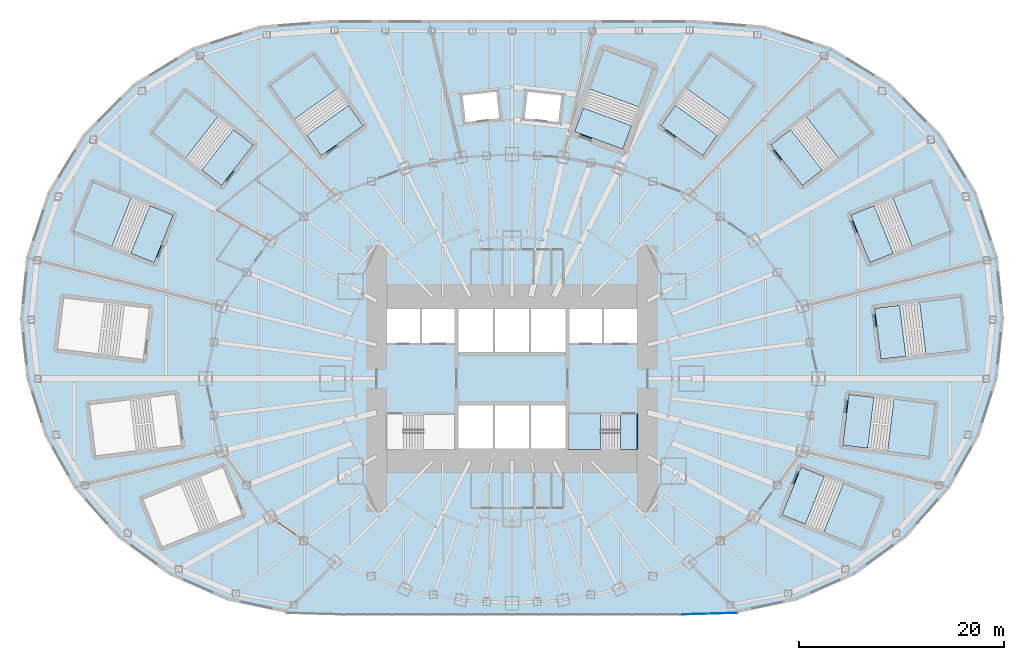
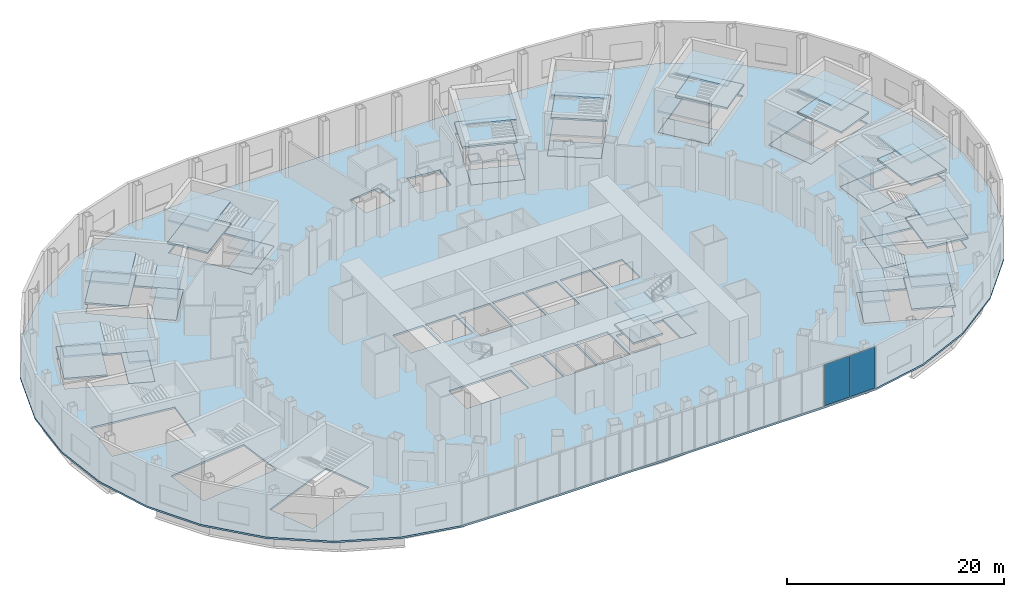
# One storey, part 12 of 73: 45 slabs, 2 plates, 12 elements without a shape of their own.
"""IFC4 building model written with IfcOpenShell, lengths in metres."""

from ifc_helpers import new_model, si_unit, direction, frame, origin, origin_2d, place, context, subcontext, project, spatial, polyline, rectangle, outline, extrude, material, layer, layer_set, type_object, element, aggregate, save


model = new_model("IFC4")

# Units and contexts
model_context = context("Model", 3, precision=1e-05, world=origin(), true_north=direction((0.0, 1.0)))
body_context = subcontext(model_context, "Body", "Model", "MODEL_VIEW")
ifc_project = project(units=[si_unit("LENGTHUNIT", "METRE"), si_unit("AREAUNIT", "SQUARE_METRE"), si_unit("VOLUMEUNIT", "CUBIC_METRE"), si_unit("PLANEANGLEUNIT", "RADIAN"), si_unit("MASSUNIT", "GRAM", prefix="KILO")], contexts=[model_context])

# Site, building, storey
site_placement = place(None, origin())
site = spatial("IfcSite", under=ifc_project, at=site_placement, CompositionType="ELEMENT")
building_placement = place(site_placement, origin())
building = spatial("IfcBuilding", under=site, at=building_placement, Name="Lantaw Convention Tower", CompositionType="ELEMENT")
storey_placement = place(building_placement, frame((0.0, 0.0, 22.0)))
storey = spatial("IfcBuildingStorey", under=building, at=storey_placement, Name="L03", CompositionType="ELEMENT", Elevation=22.0)

# Curtain wall, plates
ifc_material_1 = material(Name="Aluminium framed curtain wall", Category="aluminium")
curtain_wall_type = type_object("IfcCurtainWallType", Name="Podium storefront curtain wall, pale aluminium", PredefinedType="USERDEFINED", material=ifc_material_1)
curtain_wall_placement = place(storey_placement, origin())
curtain_wall = element("IfcCurtainWall", 1, at=curtain_wall_placement, inside=storey, type_object=curtain_wall_type, Name="Podium storefront curtain wall, pale aluminium L03", ObjectType="STOREFRONT", PredefinedType="USERDEFINED")
ifc_material_2 = material(Name="Laminated clear glass", Category="glass")
ifc_layer_1 = layer(ifc_material_2, 0.031982421875)
ifc_layer_set_1 = layer_set([ifc_layer_1], Name="CW-P panel 32")
plate_type = type_object("IfcPlateType", Name="CW-P panel 32", PredefinedType="CURTAIN_PANEL", material=ifc_layer_set_1)
plate_1_placement = place(storey_placement, frame((17.838134765625, -22.958984375, 0.080078125), z_axis=(0.0, 0.0, 1.0), x_axis=(0.99959230263, 0.028552206976, 0.0)))
plate_1 = element("IfcPlate", 2, at=plate_1_placement, type_object=plate_type, Name="CW-P panel 1.1", PredefinedType="CURTAIN_PANEL", context=body_context, shape_type="SweptSolid", body=[
    extrude(rectangle(XDim=2.705810546875, YDim=0.031982421875, at=origin_2d()), origin(), (0.0, 0.0, 1.0), 4.639892578125),
])
plate_2_placement = place(storey_placement, frame((20.622802734375, -22.879638671875, 0.080078125), z_axis=(0.0, 0.0, 1.0), x_axis=(0.99959230263, 0.028552206976, 0.0)))
plate_2 = element("IfcPlate", 3, at=plate_2_placement, type_object=plate_type, Name="CW-P panel 2.1", PredefinedType="CURTAIN_PANEL", context=body_context, shape_type="SweptSolid", body=[
    extrude(rectangle(XDim=2.705810546875, YDim=0.031982421875, at=origin_2d()), origin(), (0.0, 0.0, 1.0), 4.639892578125),
])
aggregate(curtain_wall, [plate_1, plate_2])

# Slab
ifc_material_3 = material(Name="Concrete C35/45", Category="concrete")
ifc_layer_2 = layer(ifc_material_3, 0.199951171875)
ifc_layer_set_2 = layer_set([ifc_layer_2], Name="Floor slab 200")
slab_type_1 = type_object("IfcSlabType", Name="Floor slab 200", PredefinedType="FLOOR", material=ifc_layer_set_2)
slab_1_placement = place(storey_placement, frame((0.0, 0.0, -0.199951171875)))
element("IfcSlab", 4, at=slab_1_placement, inside=storey, type_object=slab_type_1, Name="L03 floor slab", PredefinedType="FLOOR", context=body_context, shape_type="SweptSolid", body=[
    extrude(outline(polyline([(45.580322265625, -5.5966796875), (47.37255859375, 0.0), (47.999755859375, 5.8935546875), (47.409912109375, 11.820556640625), (45.313232421875, 18.190673828125), (41.819091796875, 23.896728515625), (36.97607421875, 28.756591796875), (31.2001953125, 32.308837890625), (24.578857421875, 34.458251953125), (17.83349609375, 35.0), (-17.83349609375, 35.0), (-24.578857421875, 34.458251953125), (-31.2001953125, 32.308837890625), (-36.97607421875, 28.756591796875), (-41.819091796875, 23.896728515625), (-45.313232421875, 18.190673828125), (-47.409912109375, 11.820556640625), (-47.999755859375, 5.8935546875), (-47.37255859375, 0.0), (-45.580322265625, -5.5966796875), (-42.73974609375, -10.65625), (-38.50732421875, -15.45849609375), (-33.4755859375, -19.12890625), (-27.811279296875, -21.62890625), (-22.054931640625, -22.838623046875), (-16.40576171875, -23.0), (16.40576171875, -23.0), (22.054931640625, -22.838623046875), (27.811279296875, -21.62890625), (33.4755859375, -19.12890625), (38.50732421875, -15.458251953125), (42.73974609375, -10.65625), (45.580322265625, -5.5966796875)]), holes=[polyline([(-36.005126953125, -11.760009765625), (-34.142333984375, -16.400146484375), (-26.346923828125, -13.270751953125), (-28.209716796875, -8.630615234375), (-36.005126953125, -11.760009765625)]), polyline([(-12.199951171875, -6.800048828125), (-5.60009765625, -6.800048828125), (-5.60009765625, -3.5), (-12.199951171875, -3.5), (-12.199951171875, -6.800048828125)]), polyline([(-5.199951171875, -6.800048828125), (-1.86669921875, -6.800048828125), (-1.86669921875, -2.60009765625), (-5.199951171875, -2.60009765625), (-5.199951171875, -6.800048828125)]), polyline([(1.666748046875, -6.800048828125), (1.666748046875, -2.60009765625), (-1.666748046875, -2.60009765625), (-1.666748046875, -6.800048828125), (1.666748046875, -6.800048828125)]), polyline([(-32.8828125, -1.518798828125), (-41.22021484375, -2.54248046875), (-40.61083984375, -7.505126953125), (-32.2734375, -6.4814453125), (-32.8828125, -1.518798828125)]), polyline([(-5.199951171875, 2.60009765625), (-1.86669921875, 2.60009765625), (-1.86669921875, 6.800048828125), (-5.199951171875, 6.800048828125), (-5.199951171875, 2.60009765625)]), polyline([(1.666748046875, 2.60009765625), (1.666748046875, 6.800048828125), (-1.666748046875, 6.800048828125), (-1.666748046875, 2.60009765625), (1.666748046875, 2.60009765625)]), polyline([(-35.387451171875, 6.86376953125), (-43.724853515625, 7.887451171875), (-44.334228515625, 2.9248046875), (-35.996826171875, 1.901123046875), (-35.387451171875, 6.86376953125)]), polyline([(-12.199951171875, 3.5), (-9.0, 3.5), (-9.0, 6.800048828125), (-12.199951171875, 6.800048828125), (-12.199951171875, 3.5)]), polyline([(-8.800048828125, 3.5), (-5.60009765625, 3.5), (-5.60009765625, 6.800048828125), (-8.800048828125, 6.800048828125), (-8.800048828125, 3.5)]), polyline([(-33.06005859375, 15.965576171875), (-40.85546875, 19.094970703125), (-42.71826171875, 14.454833984375), (-34.9228515625, 11.325439453125), (-33.06005859375, 15.965576171875)]), polyline([(-25.25830078125, 22.810546875), (-31.88916015625, 27.967529296875), (-34.95849609375, 24.0205078125), (-28.327880859375, 18.86376953125), (-25.25830078125, 22.810546875)]), polyline([(-1.236083984375, 25.423583984375), (-1.5302734375, 28.0068359375), (-4.80908203125, 27.63330078125), (-4.5146484375, 25.050048828125), (-1.236083984375, 25.423583984375)]), polyline([(-19.40771484375, 31.513916015625), (-23.478271484375, 28.6103515625), (-18.6005859375, 21.771728515625), (-14.52978515625, 24.67529296875), (-19.40771484375, 31.513916015625)]), polyline([(26.34716796875, -13.270751953125), (34.142333984375, -16.39990234375), (36.005126953125, -11.760009765625), (28.209716796875, -8.630615234375), (26.34716796875, -13.270751953125)]), polyline([(5.60009765625, -6.800048828125), (12.199951171875, -6.800048828125), (12.199951171875, -3.5), (5.60009765625, -3.5), (5.60009765625, -6.800048828125)]), polyline([(1.86669921875, -6.800048828125), (5.199951171875, -6.800048828125), (5.199951171875, -2.60009765625), (1.86669921875, -2.60009765625), (1.86669921875, -6.800048828125)]), polyline([(32.2734375, -6.4814453125), (40.61083984375, -7.505126953125), (41.22021484375, -2.54248046875), (32.8828125, -1.518798828125), (32.2734375, -6.4814453125)]), polyline([(1.86669921875, 2.60009765625), (5.199951171875, 2.60009765625), (5.199951171875, 6.800048828125), (1.86669921875, 6.800048828125), (1.86669921875, 2.60009765625)]), polyline([(35.996826171875, 1.901123046875), (44.334228515625, 2.9248046875), (43.724853515625, 7.887451171875), (35.387451171875, 6.86376953125), (35.996826171875, 1.901123046875)]), polyline([(8.800048828125, 3.5), (8.800048828125, 6.800048828125), (5.60009765625, 6.800048828125), (5.60009765625, 3.5), (8.800048828125, 3.5)]), polyline([(9.0, 3.5), (12.199951171875, 3.5), (12.199951171875, 6.800048828125), (9.0, 6.800048828125), (9.0, 3.5)]), polyline([(34.9228515625, 11.325439453125), (42.71826171875, 14.454833984375), (40.85546875, 19.094970703125), (33.06005859375, 15.965576171875), (34.9228515625, 11.325439453125)]), polyline([(28.327880859375, 18.86376953125), (34.95849609375, 24.0205078125), (31.88916015625, 27.967529296875), (25.25830078125, 22.810546875), (28.327880859375, 18.86376953125)]), polyline([(4.5146484375, 25.050048828125), (4.80908203125, 27.63330078125), (1.5302734375, 28.0068359375), (1.236083984375, 25.423583984375), (4.5146484375, 25.050048828125)]), polyline([(18.6005859375, 21.771728515625), (23.478271484375, 28.6103515625), (19.40771484375, 31.513916015625), (14.52978515625, 24.67529296875), (18.6005859375, 21.771728515625)]), polyline([(10.81298828125, 22.398681640625), (13.685791015625, 30.292236328125), (8.987548828125, 32.002197265625), (6.114501953125, 24.10888671875), (10.81298828125, 22.398681640625)])]), origin(), (0.0, 0.0, 1.0), 0.199951171875),
])

# Stair, slabs
stair_type_1 = type_object("IfcStairType", Name="Exit stair 1500 riser 156.25 in 4 flights", PredefinedType="HALF_TURN_STAIR", material=ifc_material_3)
stair_1_placement = place(storey_placement, origin())
stair_1 = element("IfcStair", 5, at=stair_1_placement, inside=storey, type_object=stair_type_1, Name="Exit stair S2 L03", PredefinedType="HALF_TURN_STAIR")
ifc_layer_3 = layer(ifc_material_3, 0.199951171875)
ifc_layer_set_3 = layer_set([ifc_layer_3], Name="Stair landing 200")
slab_type_2 = type_object("IfcSlabType", Name="Stair landing 200", PredefinedType="LANDING", material=ifc_layer_set_3)
slab_2_placement = place(storey_placement, frame((0.0, 0.0, -0.199951171875)))
slab_2 = element("IfcSlab", 6, at=slab_2_placement, type_object=slab_type_2, Name="S2 landing 1", PredefinedType="LANDING", context=body_context, shape_type="SweptSolid", body=[
    extrude(outline(polyline([(10.580078125, -6.89990234375), (12.199951171875, -6.89990234375), (12.199951171875, -3.39990234375), (10.580078125, -3.39990234375), (10.580078125, -6.89990234375)])), origin(), (0.0, 0.0, 1.0), 0.199951171875),
])
slab_3_placement = place(storey_placement, frame((0.0, 0.0, 1.050048828125)))
slab_3 = element("IfcSlab", 7, at=slab_3_placement, type_object=slab_type_2, Name="S2 landing 2", PredefinedType="LANDING", context=body_context, shape_type="SweptSolid", body=[
    extrude(outline(polyline([(5.5, -6.89990234375), (8.6201171875, -6.89990234375), (8.6201171875, -3.39990234375), (5.5, -3.39990234375), (5.5, -6.89990234375)])), origin(), (0.0, 0.0, 1.0), 0.199951171875),
])
slab_4_placement = place(storey_placement, frame((0.0, 0.0, 2.300048828125)))
slab_4 = element("IfcSlab", 8, at=slab_4_placement, type_object=slab_type_2, Name="S2 landing 3", PredefinedType="LANDING", context=body_context, shape_type="SweptSolid", body=[
    extrude(outline(polyline([(10.580078125, -6.89990234375), (12.300048828125, -6.89990234375), (12.300048828125, -3.39990234375), (10.580078125, -3.39990234375), (10.580078125, -6.89990234375)])), origin(), (0.0, 0.0, 1.0), 0.199951171875),
])
slab_5_placement = place(storey_placement, frame((0.0, 0.0, 3.550048828125)))
slab_5 = element("IfcSlab", 9, at=slab_5_placement, type_object=slab_type_2, Name="S2 landing 4", PredefinedType="LANDING", context=body_context, shape_type="SweptSolid", body=[
    extrude(outline(polyline([(5.5, -6.89990234375), (8.6201171875, -6.89990234375), (8.6201171875, -3.39990234375), (5.5, -3.39990234375), (5.5, -6.89990234375)])), origin(), (0.0, 0.0, 1.0), 0.199951171875),
])
aggregate(stair_1, [slab_2, slab_3, slab_4, slab_5])

stair_type_2 = type_object("IfcStairType", Name="Exit stair 2400 riser 156.25 in 4 flights", PredefinedType="HALF_TURN_STAIR", material=ifc_material_3)
stair_2_placement = place(storey_placement, origin())
stair_2 = element("IfcStair", 10, at=stair_2_placement, inside=storey, type_object=stair_type_2, Name="Podium exit stair P1 L03", PredefinedType="HALF_TURN_STAIR")
slab_6_placement = place(storey_placement, frame((0.0, 0.0, -0.199951171875)))
slab_6 = element("IfcSlab", 11, at=slab_6_placement, type_object=slab_type_2, Name="P1 landing 1", PredefinedType="LANDING", context=body_context, shape_type="SweptSolid", body=[
    extrude(outline(polyline([(35.996826171875, 1.901123046875), (38.4306640625, 2.199951171875), (37.8212890625, 7.16259765625), (35.387451171875, 6.86376953125), (35.996826171875, 1.901123046875)])), origin(), (0.0, 0.0, 1.0), 0.199951171875),
])
slab_7_placement = place(storey_placement, frame((0.0, 0.0, 1.050048828125)))
slab_7 = element("IfcSlab", 12, at=slab_7_placement, type_object=slab_type_2, Name="P1 landing 2", PredefinedType="LANDING", context=body_context, shape_type="SweptSolid", body=[
    extrude(outline(polyline([(40.3818359375, 2.35888671875), (44.42333984375, 2.855224609375), (43.794677734375, 7.9765625), (39.7529296875, 7.48046875), (40.3818359375, 2.35888671875)])), origin(), (0.0, 0.0, 1.0), 0.199951171875),
])
slab_8_placement = place(storey_placement, frame((0.0, 0.0, 2.300048828125)))
slab_8 = element("IfcSlab", 13, at=slab_8_placement, type_object=slab_type_2, Name="P1 landing 3", PredefinedType="LANDING", context=body_context, shape_type="SweptSolid", body=[
    extrude(outline(polyline([(35.92724609375, 1.81201171875), (38.4404296875, 2.12060546875), (37.8115234375, 7.241943359375), (35.29833984375, 6.93359375), (35.92724609375, 1.81201171875)])), origin(), (0.0, 0.0, 1.0), 0.199951171875),
])
slab_9_placement = place(storey_placement, frame((0.0, 0.0, 3.550048828125)))
slab_9 = element("IfcSlab", 14, at=slab_9_placement, type_object=slab_type_2, Name="P1 landing 4", PredefinedType="LANDING", context=body_context, shape_type="SweptSolid", body=[
    extrude(outline(polyline([(40.3818359375, 2.35888671875), (44.42333984375, 2.855224609375), (43.794677734375, 7.9765625), (39.7529296875, 7.48046875), (40.3818359375, 2.35888671875)])), origin(), (0.0, 0.0, 1.0), 0.199951171875),
])
aggregate(stair_2, [slab_6, slab_7, slab_8, slab_9])

stair_3_placement = place(storey_placement, origin())
stair_3 = element("IfcStair", 15, at=stair_3_placement, inside=storey, type_object=stair_type_2, Name="Podium exit stair P2 L03", PredefinedType="HALF_TURN_STAIR")
slab_10_placement = place(storey_placement, frame((0.0, 0.0, -0.199951171875)))
slab_10 = element("IfcSlab", 16, at=slab_10_placement, type_object=slab_type_2, Name="P2 landing 1", PredefinedType="LANDING", context=body_context, shape_type="SweptSolid", body=[
    extrude(outline(polyline([(34.9228515625, 11.325439453125), (37.198486328125, 12.239013671875), (35.335693359375, 16.879150390625), (33.06005859375, 15.965576171875), (34.9228515625, 11.325439453125)])), origin(), (0.0, 0.0, 1.0), 0.199951171875),
])
slab_11_placement = place(storey_placement, frame((0.0, 0.0, 1.050048828125)))
slab_11 = element("IfcSlab", 17, at=slab_11_placement, type_object=slab_type_2, Name="P2 landing 2", PredefinedType="LANDING", context=body_context, shape_type="SweptSolid", body=[
    extrude(outline(polyline([(39.04345703125, 12.8935546875), (42.822265625, 14.410400390625), (40.89990234375, 19.198974609375), (37.12109375, 17.681884765625), (39.04345703125, 12.8935546875)])), origin(), (0.0, 0.0, 1.0), 0.199951171875),
])
slab_12_placement = place(storey_placement, frame((0.0, 0.0, 2.300048828125)))
slab_12 = element("IfcSlab", 18, at=slab_12_placement, type_object=slab_type_2, Name="P2 landing 3", PredefinedType="LANDING", context=body_context, shape_type="SweptSolid", body=[
    extrude(outline(polyline([(34.87841796875, 11.221435546875), (37.228271484375, 12.164794921875), (35.305908203125, 16.953369140625), (32.9560546875, 16.010009765625), (34.87841796875, 11.221435546875)])), origin(), (0.0, 0.0, 1.0), 0.199951171875),
])
slab_13_placement = place(storey_placement, frame((0.0, 0.0, 3.550048828125)))
slab_13 = element("IfcSlab", 19, at=slab_13_placement, type_object=slab_type_2, Name="P2 landing 4", PredefinedType="LANDING", context=body_context, shape_type="SweptSolid", body=[
    extrude(outline(polyline([(39.04345703125, 12.8935546875), (42.822265625, 14.410400390625), (40.89990234375, 19.198974609375), (37.12109375, 17.681884765625), (39.04345703125, 12.8935546875)])), origin(), (0.0, 0.0, 1.0), 0.199951171875),
])
aggregate(stair_3, [slab_10, slab_11, slab_12, slab_13])

stair_4_placement = place(storey_placement, origin())
stair_4 = element("IfcStair", 20, at=stair_4_placement, inside=storey, type_object=stair_type_2, Name="Podium exit stair P3 L03", PredefinedType="HALF_TURN_STAIR")
slab_14_placement = place(storey_placement, frame((0.0, 0.0, -0.199951171875)))
slab_14 = element("IfcSlab", 21, at=slab_14_placement, type_object=slab_type_2, Name="P3 landing 1", PredefinedType="LANDING", context=body_context, shape_type="SweptSolid", body=[
    extrude(outline(polyline([(28.327880859375, 18.86376953125), (30.263427734375, 20.369140625), (27.19384765625, 24.31591796875), (25.25830078125, 22.810546875), (28.327880859375, 18.86376953125)])), origin(), (0.0, 0.0, 1.0), 0.199951171875),
])
slab_15_placement = place(storey_placement, frame((0.0, 0.0, 1.050048828125)))
slab_15 = element("IfcSlab", 22, at=slab_15_placement, type_object=slab_type_2, Name="P3 landing 2", PredefinedType="LANDING", context=body_context, shape_type="SweptSolid", body=[
    extrude(outline(polyline([(31.8564453125, 21.506591796875), (35.07080078125, 24.006591796875), (31.903076171875, 28.07958984375), (28.688720703125, 25.579833984375), (31.8564453125, 21.506591796875)])), origin(), (0.0, 0.0, 1.0), 0.199951171875),
])
slab_16_placement = place(storey_placement, frame((0.0, 0.0, 2.300048828125)))
slab_16 = element("IfcSlab", 23, at=slab_16_placement, type_object=slab_type_2, Name="P3 landing 3", PredefinedType="LANDING", context=body_context, shape_type="SweptSolid", body=[
    extrude(outline(polyline([(28.313720703125, 18.75146484375), (30.3125, 20.305908203125), (27.144775390625, 24.379150390625), (25.14599609375, 22.82470703125), (28.313720703125, 18.75146484375)])), origin(), (0.0, 0.0, 1.0), 0.199951171875),
])
slab_17_placement = place(storey_placement, frame((0.0, 0.0, 3.550048828125)))
slab_17 = element("IfcSlab", 24, at=slab_17_placement, type_object=slab_type_2, Name="P3 landing 4", PredefinedType="LANDING", context=body_context, shape_type="SweptSolid", body=[
    extrude(outline(polyline([(31.8564453125, 21.506591796875), (35.07080078125, 24.006591796875), (31.903076171875, 28.07958984375), (28.688720703125, 25.579833984375), (31.8564453125, 21.506591796875)])), origin(), (0.0, 0.0, 1.0), 0.199951171875),
])
aggregate(stair_4, [slab_14, slab_15, slab_16, slab_17])

stair_5_placement = place(storey_placement, origin())
stair_5 = element("IfcStair", 25, at=stair_5_placement, inside=storey, type_object=stair_type_2, Name="Podium exit stair P4 L03", PredefinedType="HALF_TURN_STAIR")
slab_18_placement = place(storey_placement, frame((0.0, 0.0, -0.199951171875)))
slab_18 = element("IfcSlab", 26, at=slab_18_placement, type_object=slab_type_2, Name="P4 landing 1", PredefinedType="LANDING", context=body_context, shape_type="SweptSolid", body=[
    extrude(outline(polyline([(18.6005859375, 21.771728515625), (20.0244140625, 23.76806640625), (15.953857421875, 26.67138671875), (14.52978515625, 24.67529296875), (18.6005859375, 21.771728515625)])), origin(), (0.0, 0.0, 1.0), 0.199951171875),
])
slab_19_placement = place(storey_placement, frame((0.0, 0.0, 1.050048828125)))
slab_19 = element("IfcSlab", 27, at=slab_19_placement, type_object=slab_type_2, Name="P4 landing 2", PredefinedType="LANDING", context=body_context, shape_type="SweptSolid", body=[
    extrude(outline(polyline([(21.225341796875, 25.31396484375), (23.58984375, 28.62890625), (19.38916015625, 31.62548828125), (17.0244140625, 28.310302734375), (21.225341796875, 25.31396484375)])), origin(), (0.0, 0.0, 1.0), 0.199951171875),
])
slab_20_placement = place(storey_placement, frame((0.0, 0.0, 2.300048828125)))
slab_20 = element("IfcSlab", 28, at=slab_20_placement, type_object=slab_type_2, Name="P4 landing 3", PredefinedType="LANDING", context=body_context, shape_type="SweptSolid", body=[
    extrude(outline(polyline([(18.619140625, 21.66015625), (20.089599609375, 23.721435546875), (15.888671875, 26.718017578125), (14.418212890625, 24.656494140625), (18.619140625, 21.66015625)])), origin(), (0.0, 0.0, 1.0), 0.199951171875),
])
slab_21_placement = place(storey_placement, frame((0.0, 0.0, 3.550048828125)))
slab_21 = element("IfcSlab", 29, at=slab_21_placement, type_object=slab_type_2, Name="P4 landing 4", PredefinedType="LANDING", context=body_context, shape_type="SweptSolid", body=[
    extrude(outline(polyline([(21.225341796875, 25.31396484375), (23.58984375, 28.62890625), (19.38916015625, 31.62548828125), (17.0244140625, 28.310302734375), (21.225341796875, 25.31396484375)])), origin(), (0.0, 0.0, 1.0), 0.199951171875),
])
aggregate(stair_5, [slab_18, slab_19, slab_20, slab_21])

stair_6_placement = place(storey_placement, origin())
stair_6 = element("IfcStair", 30, at=stair_6_placement, inside=storey, type_object=stair_type_2, Name="Podium exit stair P5 L03", PredefinedType="HALF_TURN_STAIR")
slab_22_placement = place(storey_placement, frame((0.0, 0.0, -0.199951171875)))
slab_22 = element("IfcSlab", 31, at=slab_22_placement, type_object=slab_type_2, Name="P5 landing 1", PredefinedType="LANDING", context=body_context, shape_type="SweptSolid", body=[
    extrude(outline(polyline([(10.81298828125, 22.398681640625), (11.651611328125, 24.702880859375), (6.953125, 26.4130859375), (6.114501953125, 24.10888671875), (10.81298828125, 22.398681640625)])), origin(), (0.0, 0.0, 1.0), 0.199951171875),
])
slab_23_placement = place(storey_placement, frame((0.0, 0.0, 1.050048828125)))
slab_23 = element("IfcSlab", 32, at=slab_23_placement, type_object=slab_type_2, Name="P5 landing 2", PredefinedType="LANDING", context=body_context, shape_type="SweptSolid", body=[
    extrude(outline(polyline([(12.395751953125, 26.513671875), (13.788330078125, 30.340087890625), (8.939697265625, 32.104736328125), (7.546875, 28.2783203125), (12.395751953125, 26.513671875)])), origin(), (0.0, 0.0, 1.0), 0.199951171875),
])
slab_24_placement = place(storey_placement, frame((0.0, 0.0, 2.300048828125)))
slab_24 = element("IfcSlab", 33, at=slab_24_placement, type_object=slab_type_2, Name="P5 landing 3", PredefinedType="LANDING", context=body_context, shape_type="SweptSolid", body=[
    extrude(outline(polyline([(10.86083984375, 22.296142578125), (11.726806640625, 24.675537109375), (6.8779296875, 26.4404296875), (6.011962890625, 24.06103515625), (10.86083984375, 22.296142578125)])), origin(), (0.0, 0.0, 1.0), 0.199951171875),
])
slab_25_placement = place(storey_placement, frame((0.0, 0.0, 3.550048828125)))
slab_25 = element("IfcSlab", 34, at=slab_25_placement, type_object=slab_type_2, Name="P5 landing 4", PredefinedType="LANDING", context=body_context, shape_type="SweptSolid", body=[
    extrude(outline(polyline([(12.395751953125, 26.513671875), (13.788330078125, 30.340087890625), (8.939697265625, 32.104736328125), (7.546875, 28.2783203125), (12.395751953125, 26.513671875)])), origin(), (0.0, 0.0, 1.0), 0.199951171875),
])
aggregate(stair_6, [slab_22, slab_23, slab_24, slab_25])

stair_7_placement = place(storey_placement, origin())
stair_7 = element("IfcStair", 35, at=stair_7_placement, inside=storey, type_object=stair_type_2, Name="Podium exit stair P6 L03", PredefinedType="HALF_TURN_STAIR")
slab_26_placement = place(storey_placement, frame((0.0, 0.0, -0.199951171875)))
slab_26 = element("IfcSlab", 36, at=slab_26_placement, type_object=slab_type_2, Name="P6 landing 1", PredefinedType="LANDING", context=body_context, shape_type="SweptSolid", body=[
    extrude(outline(polyline([(-14.52978515625, 24.67529296875), (-15.953857421875, 26.67138671875), (-20.0244140625, 23.76806640625), (-18.6005859375, 21.771728515625), (-14.52978515625, 24.67529296875)])), origin(), (0.0, 0.0, 1.0), 0.199951171875),
])
slab_27_placement = place(storey_placement, frame((0.0, 0.0, 1.050048828125)))
slab_27 = element("IfcSlab", 37, at=slab_27_placement, type_object=slab_type_2, Name="P6 landing 2", PredefinedType="LANDING", context=body_context, shape_type="SweptSolid", body=[
    extrude(outline(polyline([(-17.0244140625, 28.310302734375), (-19.38916015625, 31.62548828125), (-23.58984375, 28.62890625), (-21.225341796875, 25.31396484375), (-17.0244140625, 28.310302734375)])), origin(), (0.0, 0.0, 1.0), 0.199951171875),
])
slab_28_placement = place(storey_placement, frame((0.0, 0.0, 2.300048828125)))
slab_28 = element("IfcSlab", 38, at=slab_28_placement, type_object=slab_type_2, Name="P6 landing 3", PredefinedType="LANDING", context=body_context, shape_type="SweptSolid", body=[
    extrude(outline(polyline([(-14.418212890625, 24.656494140625), (-15.888671875, 26.718017578125), (-20.089599609375, 23.721435546875), (-18.619140625, 21.66015625), (-14.418212890625, 24.656494140625)])), origin(), (0.0, 0.0, 1.0), 0.199951171875),
])
slab_29_placement = place(storey_placement, frame((0.0, 0.0, 3.550048828125)))
slab_29 = element("IfcSlab", 39, at=slab_29_placement, type_object=slab_type_2, Name="P6 landing 4", PredefinedType="LANDING", context=body_context, shape_type="SweptSolid", body=[
    extrude(outline(polyline([(-17.0244140625, 28.310302734375), (-19.38916015625, 31.62548828125), (-23.58984375, 28.62890625), (-21.225341796875, 25.31396484375), (-17.0244140625, 28.310302734375)])), origin(), (0.0, 0.0, 1.0), 0.199951171875),
])
aggregate(stair_7, [slab_26, slab_27, slab_28, slab_29])

stair_8_placement = place(storey_placement, origin())
stair_8 = element("IfcStair", 40, at=stair_8_placement, inside=storey, type_object=stair_type_2, Name="Podium exit stair P7 L03", PredefinedType="HALF_TURN_STAIR")
slab_30_placement = place(storey_placement, frame((0.0, 0.0, -0.199951171875)))
slab_30 = element("IfcSlab", 41, at=slab_30_placement, type_object=slab_type_2, Name="P7 landing 1", PredefinedType="LANDING", context=body_context, shape_type="SweptSolid", body=[
    extrude(outline(polyline([(-25.25830078125, 22.810546875), (-27.19384765625, 24.31591796875), (-30.263427734375, 20.369140625), (-28.327880859375, 18.86376953125), (-25.25830078125, 22.810546875)])), origin(), (0.0, 0.0, 1.0), 0.199951171875),
])
slab_31_placement = place(storey_placement, frame((0.0, 0.0, 1.050048828125)))
slab_31 = element("IfcSlab", 42, at=slab_31_placement, type_object=slab_type_2, Name="P7 landing 2", PredefinedType="LANDING", context=body_context, shape_type="SweptSolid", body=[
    extrude(outline(polyline([(-28.688720703125, 25.579833984375), (-31.903076171875, 28.07958984375), (-35.07080078125, 24.006591796875), (-31.8564453125, 21.506591796875), (-28.688720703125, 25.579833984375)])), origin(), (0.0, 0.0, 1.0), 0.199951171875),
])
slab_32_placement = place(storey_placement, frame((0.0, 0.0, 2.300048828125)))
slab_32 = element("IfcSlab", 43, at=slab_32_placement, type_object=slab_type_2, Name="P7 landing 3", PredefinedType="LANDING", context=body_context, shape_type="SweptSolid", body=[
    extrude(outline(polyline([(-25.14599609375, 22.82470703125), (-27.144775390625, 24.379150390625), (-30.3125, 20.305908203125), (-28.313720703125, 18.75146484375), (-25.14599609375, 22.82470703125)])), origin(), (0.0, 0.0, 1.0), 0.199951171875),
])
slab_33_placement = place(storey_placement, frame((0.0, 0.0, 3.550048828125)))
slab_33 = element("IfcSlab", 44, at=slab_33_placement, type_object=slab_type_2, Name="P7 landing 4", PredefinedType="LANDING", context=body_context, shape_type="SweptSolid", body=[
    extrude(outline(polyline([(-28.688720703125, 25.579833984375), (-31.903076171875, 28.07958984375), (-35.07080078125, 24.006591796875), (-31.8564453125, 21.506591796875), (-28.688720703125, 25.579833984375)])), origin(), (0.0, 0.0, 1.0), 0.199951171875),
])
aggregate(stair_8, [slab_30, slab_31, slab_32, slab_33])

stair_9_placement = place(storey_placement, origin())
stair_9 = element("IfcStair", 45, at=stair_9_placement, inside=storey, type_object=stair_type_2, Name="Podium exit stair P8 L03", PredefinedType="HALF_TURN_STAIR")
slab_34_placement = place(storey_placement, frame((0.0, 0.0, -0.199951171875)))
slab_34 = element("IfcSlab", 46, at=slab_34_placement, type_object=slab_type_2, Name="P8 landing 1", PredefinedType="LANDING", context=body_context, shape_type="SweptSolid", body=[
    extrude(outline(polyline([(-33.06005859375, 15.965576171875), (-35.335693359375, 16.879150390625), (-37.198486328125, 12.239013671875), (-34.9228515625, 11.325439453125), (-33.06005859375, 15.965576171875)])), origin(), (0.0, 0.0, 1.0), 0.199951171875),
])
slab_35_placement = place(storey_placement, frame((0.0, 0.0, 1.050048828125)))
slab_35 = element("IfcSlab", 47, at=slab_35_placement, type_object=slab_type_2, Name="P8 landing 2", PredefinedType="LANDING", context=body_context, shape_type="SweptSolid", body=[
    extrude(outline(polyline([(-37.12109375, 17.681884765625), (-40.89990234375, 19.198974609375), (-42.822265625, 14.410400390625), (-39.04345703125, 12.8935546875), (-37.12109375, 17.681884765625)])), origin(), (0.0, 0.0, 1.0), 0.199951171875),
])
slab_36_placement = place(storey_placement, frame((0.0, 0.0, 2.300048828125)))
slab_36 = element("IfcSlab", 48, at=slab_36_placement, type_object=slab_type_2, Name="P8 landing 3", PredefinedType="LANDING", context=body_context, shape_type="SweptSolid", body=[
    extrude(outline(polyline([(-32.9560546875, 16.010009765625), (-35.305908203125, 16.953369140625), (-37.228271484375, 12.164794921875), (-34.87841796875, 11.221435546875), (-32.9560546875, 16.010009765625)])), origin(), (0.0, 0.0, 1.0), 0.199951171875),
])
slab_37_placement = place(storey_placement, frame((0.0, 0.0, 3.550048828125)))
slab_37 = element("IfcSlab", 49, at=slab_37_placement, type_object=slab_type_2, Name="P8 landing 4", PredefinedType="LANDING", context=body_context, shape_type="SweptSolid", body=[
    extrude(outline(polyline([(-37.12109375, 17.681884765625), (-40.89990234375, 19.198974609375), (-42.822265625, 14.410400390625), (-39.04345703125, 12.8935546875), (-37.12109375, 17.681884765625)])), origin(), (0.0, 0.0, 1.0), 0.199951171875),
])
aggregate(stair_9, [slab_34, slab_35, slab_36, slab_37])

stair_10_placement = place(storey_placement, origin())
stair_10 = element("IfcStair", 50, at=stair_10_placement, inside=storey, type_object=stair_type_2, Name="Podium exit stair P12 L03", PredefinedType="HALF_TURN_STAIR")
slab_38_placement = place(storey_placement, frame((0.0, 0.0, -0.199951171875)))
slab_38 = element("IfcSlab", 51, at=slab_38_placement, type_object=slab_type_2, Name="P12 landing 1", PredefinedType="LANDING", context=body_context, shape_type="SweptSolid", body=[
    extrude(outline(polyline([(26.34716796875, -13.270751953125), (28.62255859375, -14.18408203125), (30.4853515625, -9.5439453125), (28.209716796875, -8.630615234375), (26.34716796875, -13.270751953125)])), origin(), (0.0, 0.0, 1.0), 0.199951171875),
])
slab_39_placement = place(storey_placement, frame((0.0, 0.0, 1.050048828125)))
slab_39 = element("IfcSlab", 52, at=slab_39_placement, type_object=slab_type_2, Name="P12 landing 2", PredefinedType="LANDING", context=body_context, shape_type="SweptSolid", body=[
    extrude(outline(polyline([(30.407958984375, -14.987060546875), (34.186767578125, -16.50390625), (36.109130859375, -11.715576171875), (32.330322265625, -10.198486328125), (30.407958984375, -14.987060546875)])), origin(), (0.0, 0.0, 1.0), 0.199951171875),
])
slab_40_placement = place(storey_placement, frame((0.0, 0.0, 2.300048828125)))
slab_40 = element("IfcSlab", 53, at=slab_40_placement, type_object=slab_type_2, Name="P12 landing 3", PredefinedType="LANDING", context=body_context, shape_type="SweptSolid", body=[
    extrude(outline(polyline([(26.242919921875, -13.315185546875), (28.5927734375, -14.25830078125), (30.51513671875, -9.4697265625), (28.165283203125, -8.526611328125), (26.242919921875, -13.315185546875)])), origin(), (0.0, 0.0, 1.0), 0.199951171875),
])
slab_41_placement = place(storey_placement, frame((0.0, 0.0, 3.550048828125)))
slab_41 = element("IfcSlab", 54, at=slab_41_placement, type_object=slab_type_2, Name="P12 landing 4", PredefinedType="LANDING", context=body_context, shape_type="SweptSolid", body=[
    extrude(outline(polyline([(30.407958984375, -14.987060546875), (34.186767578125, -16.50390625), (36.109130859375, -11.715576171875), (32.330322265625, -10.198486328125), (30.407958984375, -14.987060546875)])), origin(), (0.0, 0.0, 1.0), 0.199951171875),
])
aggregate(stair_10, [slab_38, slab_39, slab_40, slab_41])

stair_11_placement = place(storey_placement, origin())
stair_11 = element("IfcStair", 55, at=stair_11_placement, inside=storey, type_object=stair_type_2, Name="Podium exit stair P13 L03", PredefinedType="HALF_TURN_STAIR")
slab_42_placement = place(storey_placement, frame((0.0, 0.0, -0.199951171875)))
slab_42 = element("IfcSlab", 56, at=slab_42_placement, type_object=slab_type_2, Name="P13 landing 1", PredefinedType="LANDING", context=body_context, shape_type="SweptSolid", body=[
    extrude(outline(polyline([(32.2734375, -6.4814453125), (34.70703125, -6.7802734375), (35.31640625, -1.817626953125), (32.8828125, -1.518798828125), (32.2734375, -6.4814453125)])), origin(), (0.0, 0.0, 1.0), 0.199951171875),
])
slab_43_placement = place(storey_placement, frame((0.0, 0.0, 1.050048828125)))
slab_43 = element("IfcSlab", 57, at=slab_43_placement, type_object=slab_type_2, Name="P13 landing 2", PredefinedType="LANDING", context=body_context, shape_type="SweptSolid", body=[
    extrude(outline(polyline([(36.638916015625, -7.09814453125), (40.680419921875, -7.59423828125), (41.309326171875, -2.47265625), (37.267578125, -1.9765625), (36.638916015625, -7.09814453125)])), origin(), (0.0, 0.0, 1.0), 0.199951171875),
])
slab_44_placement = place(storey_placement, frame((0.0, 0.0, 2.300048828125)))
slab_44 = element("IfcSlab", 58, at=slab_44_placement, type_object=slab_type_2, Name="P13 landing 3", PredefinedType="LANDING", context=body_context, shape_type="SweptSolid", body=[
    extrude(outline(polyline([(32.184326171875, -6.551025390625), (34.697265625, -6.859619140625), (35.326171875, -1.738037109375), (32.81298828125, -1.4296875), (32.184326171875, -6.551025390625)])), origin(), (0.0, 0.0, 1.0), 0.199951171875),
])
slab_45_placement = place(storey_placement, frame((0.0, 0.0, 3.550048828125)))
slab_45 = element("IfcSlab", 59, at=slab_45_placement, type_object=slab_type_2, Name="P13 landing 4", PredefinedType="LANDING", context=body_context, shape_type="SweptSolid", body=[
    extrude(outline(polyline([(36.638916015625, -7.09814453125), (40.680419921875, -7.59423828125), (41.309326171875, -2.47265625), (37.267578125, -1.9765625), (36.638916015625, -7.09814453125)])), origin(), (0.0, 0.0, 1.0), 0.199951171875),
])
aggregate(stair_11, [slab_42, slab_43, slab_44, slab_45])

save(model, "model.ifc")
